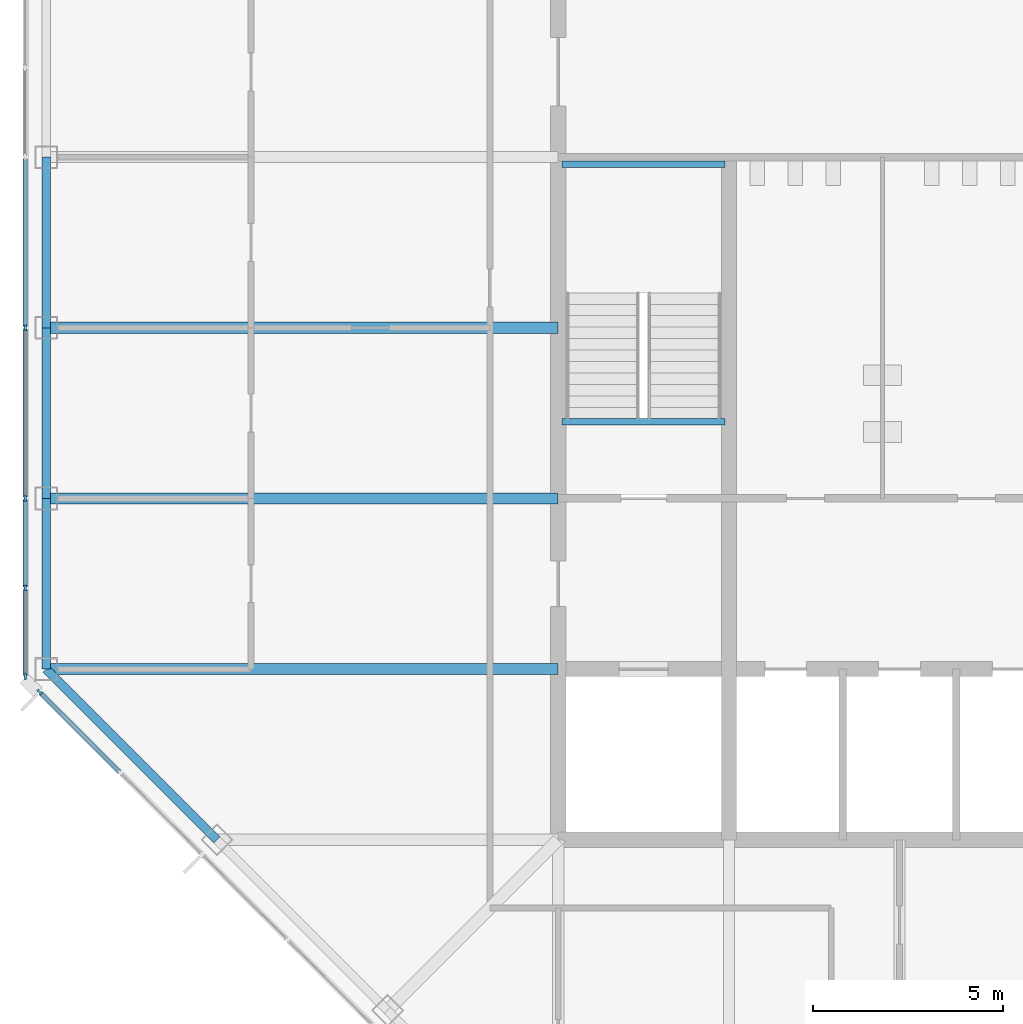
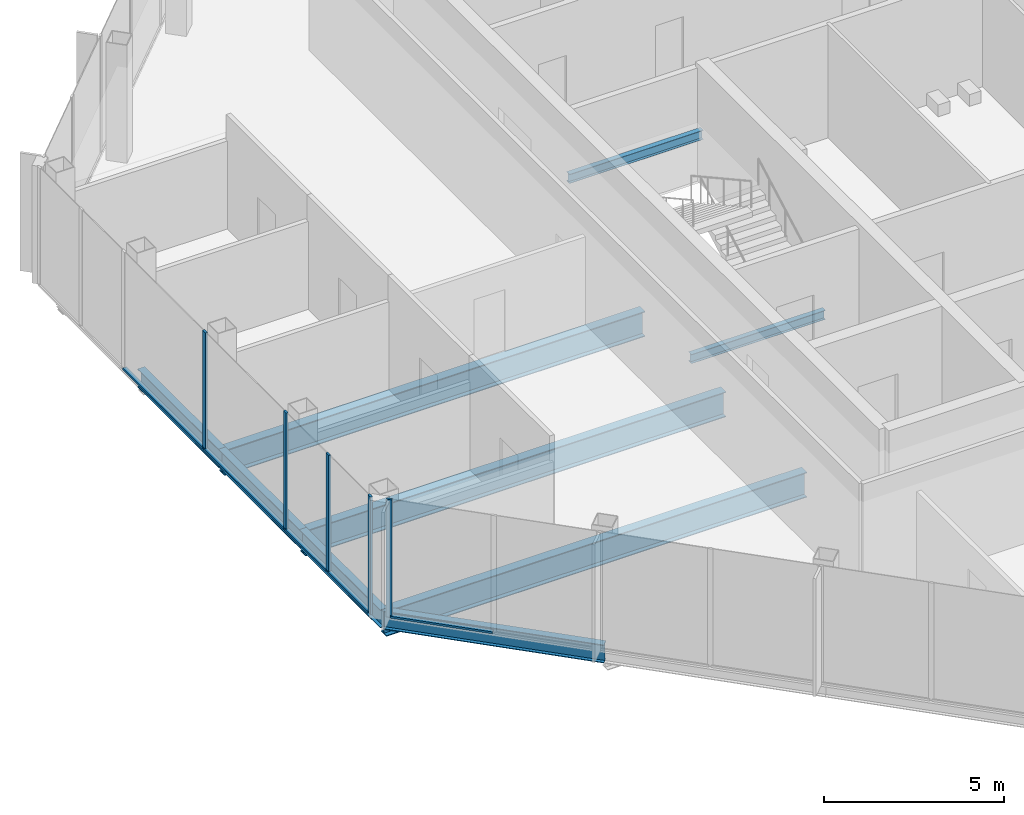
# One storey, part 3 of 14: 10 members, 9 beams, 2 elements without a shape of their own.
"""IFC4 building model written with IfcOpenShell, lengths in metres."""

import ifcopenshell
import ifcopenshell.guid

model = None  # the IFC model being written
_history = None  # IfcOwnerHistory: only IFC2X3 demands one
_inside = {}  # id of a spatial element -> (the spatial element, [elements in it])
_under = {}  # id of a project, library or spatial element -> (it, [spatial elements below it])
_declared = {}  # id of a project -> (the project, [libraries it declares])
_typed = {}  # id of a type object -> (the type object, [elements of that type])
_made_of = {}  # id of a material, layer set ... -> (it, [elements and type objects made of it])


def new_model(schema):
    """Start an empty IFC model of exactly this schema.

    Asked for "IFC4X3", IfcOpenShell would pick the latest addendum, in which some entities
    have other attributes; the version numbers below select the first issue.
    IFC2X3 requires an IfcOwnerHistory on every rooted entity: one is made here for all.
    """
    global model, _history
    if schema == "IFC4X3":
        model = ifcopenshell.file(schema_version=(4, 3, 0, 0))
    else:
        model = ifcopenshell.file(schema=schema)
    _inside.clear()
    _under.clear()
    _declared.clear()
    _typed.clear()
    _made_of.clear()
    _history = None
    if model.schema == "IFC2X3":
        org = make("IfcOrganization", Name="unknown")
        user = make(
            "IfcPersonAndOrganization",
            ThePerson=make("IfcPerson", FamilyName="unknown"),
            TheOrganization=org,
        )
        app = make(
            "IfcApplication",
            ApplicationDeveloper=org,
            Version="unknown",
            ApplicationFullName="unknown",
            ApplicationIdentifier="unknown",
        )
        _history = make(
            "IfcOwnerHistory",
            OwningUser=user,
            OwningApplication=app,
            ChangeAction="ADDED",
            CreationDate=0,
        )
    return model


def make(cls, **values):
    """One entity of the class cls with the attributes given. An attribute that is None is left unset."""
    return model.create_entity(
        cls, **{name: value for name, value in values.items() if value is not None}
    )


def rooted(cls, **values):
    """An entity with a GlobalId (a new one), such as an element, a storey or a relation."""
    return make(cls, GlobalId=ifcopenshell.guid.new(), OwnerHistory=_history, **values)


def si_unit(unit_type, name, prefix=None):
    """IfcSIUnit, for example si_unit("LENGTHUNIT", "METRE", prefix="MILLI")."""
    return make("IfcSIUnit", UnitType=unit_type, Prefix=prefix, Name=name)


def assignment(units):
    """IfcUnitAssignment: the units of a project."""
    return None if units is None else make("IfcUnitAssignment", Units=units)


def point(xyz):
    """IfcCartesianPoint."""
    return None if xyz is None else make("IfcCartesianPoint", Coordinates=xyz)


def direction(xyz):
    """IfcDirection."""
    return None if xyz is None else make("IfcDirection", DirectionRatios=xyz)


def frame(location, z_axis=None, x_axis=None):
    """IfcAxis2Placement3D, a coordinate frame: its origin and axes. An axis left out is left unset."""
    return make(
        "IfcAxis2Placement3D",
        Location=point(location),
        Axis=direction(z_axis),
        RefDirection=direction(x_axis),
    )


def frame_2d(location, x_axis=None):
    """IfcAxis2Placement2D, a coordinate frame in the plane: its origin and x axis."""
    return make(
        "IfcAxis2Placement2D", Location=point(location), RefDirection=direction(x_axis)
    )


def origin():
    """The frame at (0, 0, 0) with its axes left unset."""
    return frame((0.0, 0.0, 0.0))


def origin_2d():
    """The frame at (0, 0) in the plane with its x axis left unset."""
    return frame_2d((0.0, 0.0))


def place(relative_to, where):
    """IfcLocalPlacement: puts the frame where relative to a parent placement (None: the world)."""
    return make(
        "IfcLocalPlacement", PlacementRelTo=relative_to, RelativePlacement=where
    )


def context(
    kind, dimensions, precision=None, world=None, true_north=None, identifier=None
):
    """IfcGeometricRepresentationContext, for example the 3D "Model" context."""
    return make(
        "IfcGeometricRepresentationContext",
        ContextIdentifier=identifier,
        ContextType=kind,
        CoordinateSpaceDimension=dimensions,
        Precision=precision,
        WorldCoordinateSystem=world,
        TrueNorth=true_north,
    )


def subcontext(parent, identifier, kind, view, scale=None):
    """IfcGeometricRepresentationSubContext, for example "Body" below "Model"."""
    return make(
        "IfcGeometricRepresentationSubContext",
        ContextIdentifier=identifier,
        ContextType=kind,
        ParentContext=parent,
        TargetScale=scale,
        TargetView=view,
    )


def project(units=None, contexts=None):
    """IfcProject with its units and contexts."""
    return rooted(
        "IfcProject",
        Name="project",
        RepresentationContexts=contexts,
        UnitsInContext=assignment(units),
    )


def spatial(cls, under=None, at=None, **own):
    """A site, building, storey or space (cls), placed at a placement, below another one or the project."""
    s = rooted(cls, ObjectPlacement=at, **own)
    if under is not None:
        _under.setdefault(under.id(), (under, []))[1].append(s)
    return s


def profile(cls, at=None, kind="AREA", **sizes):
    """A parametric profile (cls). Its sizes go by their IFC names, for example OverallWidth=200.0."""
    return make(cls, ProfileType=kind, Position=at, **sizes)


def rectangle(**sizes):
    """IfcRectangleProfileDef."""
    return profile("IfcRectangleProfileDef", **sizes)


def i_section(**sizes):
    """IfcIShapeProfileDef."""
    return profile("IfcIShapeProfileDef", **sizes)


def extrude(swept, where, along, depth):
    """IfcExtrudedAreaSolid: the profile swept, set in the frame where, extruded along a direction by depth."""
    return make(
        "IfcExtrudedAreaSolid",
        SweptArea=swept,
        Position=where,
        ExtrudedDirection=direction(along),
        Depth=depth,
    )


def shape(context_of_items, identifier, shape_type, items):
    """IfcShapeRepresentation: the items that make up one representation, for example the "Body"."""
    return make(
        "IfcShapeRepresentation",
        ContextOfItems=context_of_items,
        RepresentationIdentifier=identifier,
        RepresentationType=shape_type,
        Items=items,
    )


def material(Name=None, Category=None):
    """IfcMaterial."""
    return make("IfcMaterial", Name=Name, Category=Category)


def material_profile(
    of_material, cross_section, Name=None, Category=None, Priority=None
):
    """IfcMaterialProfile: a cross section and its material."""
    return make(
        "IfcMaterialProfile",
        Name=Name,
        Material=of_material,
        Profile=cross_section,
        Priority=Priority,
        Category=Category,
    )


def profile_set(profiles, Name=None, composite=None):
    """IfcMaterialProfileSet."""
    return make(
        "IfcMaterialProfileSet",
        Name=Name,
        MaterialProfiles=profiles,
        CompositeProfile=composite,
    )


def made_of(thing, what):
    """Note that an element or type object is made of a material, layer set ...; save() writes the relation."""
    if what is not None:
        _made_of.setdefault(what.id(), (what, []))[1].append(thing)
    return thing


def type_object(cls, material=None, **own):
    """A type object (cls), such as IfcWallType, which elements share."""
    return made_of(rooted(cls, **own), material)


def element(
    cls,
    number,
    at=None,
    inside=None,
    cuts=None,
    type_object=None,
    material=None,
    context=None,
    identifier="Body",
    shape_type=None,
    held_by="IfcProductDefinitionShape",
    body=None,
    shapes=None,
    **own,
):
    """One element of the class cls, such as IfcWall. Its Tag is "e" and its number.

    at: its placement. inside: the storey or other place that contains it. cuts: it is an
    opening in that element (IfcRelVoidsElement). A single representation is given by context,
    identifier, shape_type and body (its items); several are given by shapes. held_by: the class
    of the entity that holds the representations. save() writes the other relations.
    """
    e = rooted(cls, Tag="e%d" % number, ObjectPlacement=at, **own)
    if body is not None:
        shapes = [shape(context, identifier, shape_type, body)]
    if shapes is not None:
        e.Representation = make(held_by, Representations=shapes)
    if inside is not None:
        _inside.setdefault(inside.id(), (inside, []))[1].append(e)
    if cuts is not None:
        rooted(
            "IfcRelVoidsElement", RelatingBuildingElement=cuts, RelatedOpeningElement=e
        )
    if type_object is not None:
        _typed.setdefault(type_object.id(), (type_object, []))[1].append(e)
    return made_of(e, material)


def aggregate(whole, parts):
    """IfcRelAggregates: a whole, such as a stair, and the parts it consists of."""
    return rooted("IfcRelAggregates", RelatingObject=whole, RelatedObjects=parts)


def save(model, path):
    """Write the relations noted so far, then the file.

    IfcRelAggregates (storeys below a building ...), IfcRelContainedInSpatialStructure (elements
    in a storey), IfcRelDefinesByType, IfcRelAssociatesMaterial and IfcRelDeclares: one each for
    every whole, place, type object, material and project.
    """
    for whole, parts in _under.values():
        aggregate(whole, parts)
    for where, things in _inside.values():
        rooted(
            "IfcRelContainedInSpatialStructure",
            RelatedElements=things,
            RelatingStructure=where,
        )
    for kind, things in _typed.values():
        rooted("IfcRelDefinesByType", RelatedObjects=things, RelatingType=kind)
    for what, things in _made_of.values():
        rooted("IfcRelAssociatesMaterial", RelatedObjects=things, RelatingMaterial=what)
    for by, libraries in _declared.values():
        rooted("IfcRelDeclares", RelatingContext=by, RelatedDefinitions=libraries)
    model.write(path)


model = new_model("IFC4")

# Units and contexts
model_context = context("Model", 3, precision=1e-05, world=origin(), true_north=direction((0.0, 1.0)))
body_context = subcontext(model_context, "Body", "Model", "MODEL_VIEW")
ifc_project = project(units=[si_unit("LENGTHUNIT", "METRE"), si_unit("AREAUNIT", "SQUARE_METRE"), si_unit("VOLUMEUNIT", "CUBIC_METRE"), si_unit("PLANEANGLEUNIT", "RADIAN"), si_unit("MASSUNIT", "GRAM", prefix="KILO")], contexts=[model_context])

# Site, building, storey
site_placement = place(None, origin())
site = spatial("IfcSite", under=ifc_project, at=site_placement, CompositionType="ELEMENT")
building_placement = place(site_placement, origin())
building = spatial("IfcBuilding", under=site, at=building_placement, Name="Corais Broadcast Tower", CompositionType="ELEMENT")
storey_placement = place(building_placement, frame((0.0, 0.0, 262.60009765625)))
storey = spatial("IfcBuildingStorey", under=building, at=storey_placement, Name="L61", CompositionType="ELEMENT", Elevation=262.60009765625)

# Beams
ifc_material_1 = material(Name="Steel ASTM A572 Grade 50", Category="steel")
ifc_material_profile_1 = material_profile(ifc_material_1, i_section(OverallWidth=0.2939453125, OverallDepth=0.85107421875, WebThickness=0.01611328125, FlangeThickness=0.02685546875, at=origin_2d()), Name="W840x226")
ifc_profile_set_1 = profile_set([ifc_material_profile_1], Name="Steel ASTM A572 Grade 50")
beam_type_1 = type_object("IfcBeamType", Name="Floor beam W840x226", PredefinedType="BEAM", material=ifc_profile_set_1)
for number, where, z_axis, x_axis, name in (
    (1, (0.0, 18.0, -0.585693359375), (1.0, 0.0, 0.0), (0.0, 1.0, 0.0), "B1 E/3 to E/6"),
    (2, (0.0, 22.5, -0.585693359375), (1.0, 0.0, 0.0), (0.0, 1.0, 0.0), "B1 F/3 to F/6"),
    (3, (0.0, 27.0, -0.585693359375), (1.0, 0.0, 0.0), (0.0, 1.0, 0.0), "B1 G/3 to G/6"),
):
    element("IfcBeam", number, at=place(storey_placement, frame(where, z_axis=z_axis, x_axis=x_axis)), inside=storey, type_object=beam_type_1, Name=name, PredefinedType="BEAM", context=body_context, shape_type="SweptSolid", body=[
        extrude(i_section(OverallWidth=0.2939453125, OverallDepth=0.85107421875, WebThickness=0.01611328125, FlangeThickness=0.02685546875, at=origin_2d()), origin(), (0.0, 0.0, 1.0), 13.5),
    ])
ifc_material_2 = material(Name="Steel ASTM A572 Grade 50", Category="steel")
ifc_material_profile_2 = material_profile(ifc_material_2, i_section(OverallWidth=0.1650390625, OverallDepth=0.31005859375, WebThickness=0.005859375, FlangeThickness=0.009765625, at=origin_2d()), Name="W310x38.7")
ifc_profile_set_2 = profile_set([ifc_material_profile_2], Name="Steel ASTM A572 Grade 50")
beam_type_2 = type_object("IfcBeamType", Name="Landing trimmer W310x38.7", PredefinedType="BEAM", material=ifc_profile_set_2)
for number, where, z_axis, x_axis, name in (
    (4, (13.60009765625, 24.52490234375, -0.35498046875), (1.0, 0.0, 0.0), (0.0, 1.0, 0.0), "LT1 stair A landing trimmer L61"),
    (5, (13.60009765625, 31.31005859375, 1.64501953125), (1.0, 0.0, 0.0), (0.0, 1.0, 0.0), "LT1 stair A half landing trimmer L61"),
):
    element("IfcBeam", number, at=place(storey_placement, frame(where, z_axis=z_axis, x_axis=x_axis)), inside=storey, type_object=beam_type_2, Name=name, PredefinedType="BEAM", context=body_context, shape_type="SweptSolid", body=[
        extrude(i_section(OverallWidth=0.1650390625, OverallDepth=0.31005859375, WebThickness=0.005859375, FlangeThickness=0.009765625, at=origin_2d()), origin(), (0.0, 0.0, 1.0), 4.2998046875),
    ])

# Curtain wall, member
ifc_material_3 = material(Name="Aluminium and glass", Category="aluminium")
curtain_wall_type = type_object("IfcCurtainWallType", Name="Unitised fritted curtain wall CW3", PredefinedType="NOTDEFINED", material=ifc_material_3)
curtain_wall_1_placement = place(storey_placement, origin())
curtain_wall_1 = element("IfcCurtainWall", 6, at=curtain_wall_1_placement, inside=storey, type_object=curtain_wall_type, Name="CW3 curtain wall L61 1", PredefinedType="NOTDEFINED")
ifc_material_4 = material(Name="Aluminium 6063-T6", Category="aluminium")
ifc_material_profile_3 = material_profile(ifc_material_4, rectangle(XDim=0.06494140625, YDim=0.159912109375, at=origin_2d()), Name="Mullion CW3 65x160")
ifc_profile_set_3 = profile_set([ifc_material_profile_3], Name="Aluminium 6063-T6")
member_type_1 = type_object("IfcMemberType", Name="Mullion CW3 65x160", PredefinedType="MULLION", material=ifc_profile_set_3)
member_1_placement = place(storey_placement, frame((-0.17333984375, 17.3955078125, 0.0), z_axis=(0.0, 0.0, 1.0), x_axis=(-0.707106781187, -0.707106781187, 0.0)))
member_1 = element("IfcMember", 7, at=member_1_placement, type_object=member_type_1, Name="CW3 mullion 9", PredefinedType="MULLION", context=body_context, shape_type="SweptSolid", body=[
    extrude(rectangle(XDim=0.06494140625, YDim=0.159912109375, at=origin_2d()), origin(), (0.0, 0.0, 1.0), 4.0),
])

# Curtain wall, members
curtain_wall_2_placement = place(storey_placement, origin())
curtain_wall_2 = element("IfcCurtainWall", 8, at=curtain_wall_2_placement, inside=storey, type_object=curtain_wall_type, Name="CW3 curtain wall L61 2", PredefinedType="NOTDEFINED")
member_2_placement = place(storey_placement, frame((-0.550048828125, 17.8046875, 0.0), z_axis=(0.0, 0.0, 1.0), x_axis=(-1.0, 0.0, 0.0)))
member_2 = element("IfcMember", 9, at=member_2_placement, type_object=member_type_1, Name="CW3 mullion 1", PredefinedType="MULLION", context=body_context, shape_type="SweptSolid", body=[
    extrude(rectangle(XDim=0.06494140625, YDim=0.159912109375, at=origin_2d()), origin(), (0.0, 0.0, 1.0), 4.0),
])
member_3_placement = place(storey_placement, frame((-0.550048828125, 20.135986328125, 0.0), z_axis=(0.0, 0.0, 1.0), x_axis=(-1.0, 0.0, 0.0)))
member_3 = element("IfcMember", 10, at=member_3_placement, type_object=member_type_1, Name="CW3 mullion 2", PredefinedType="MULLION", context=body_context, shape_type="SweptSolid", body=[
    extrude(rectangle(XDim=0.06494140625, YDim=0.159912109375, at=origin_2d()), origin(), (0.0, 0.0, 1.0), 4.0),
])
member_4_placement = place(storey_placement, frame((-0.550048828125, 22.5, 0.0), z_axis=(0.0, 0.0, 1.0), x_axis=(-1.0, 0.0, 0.0)))
member_4 = element("IfcMember", 11, at=member_4_placement, type_object=member_type_1, Name="CW3 mullion 3", PredefinedType="MULLION", context=body_context, shape_type="SweptSolid", body=[
    extrude(rectangle(XDim=0.06494140625, YDim=0.159912109375, at=origin_2d()), origin(), (0.0, 0.0, 1.0), 4.0),
])
member_5_placement = place(storey_placement, frame((-0.550048828125, 27.0, 0.0), z_axis=(0.0, 0.0, 1.0), x_axis=(-1.0, 0.0, 0.0)))
member_5 = element("IfcMember", 12, at=member_5_placement, type_object=member_type_1, Name="CW3 mullion 4", PredefinedType="MULLION", context=body_context, shape_type="SweptSolid", body=[
    extrude(rectangle(XDim=0.06494140625, YDim=0.159912109375, at=origin_2d()), origin(), (0.0, 0.0, 1.0), 4.0),
])

# Beams
ifc_material_5 = material(Name="Steel ASTM A572 Grade 50", Category="steel")
ifc_material_profile_4 = material_profile(ifc_material_5, i_section(OverallWidth=0.22998046875, OverallDepth=0.616943359375, WebThickness=0.01318359375, FlangeThickness=0.022216796875, at=origin_2d()), Name="W610x140")
ifc_profile_set_4 = profile_set([ifc_material_profile_4], Name="Steel ASTM A572 Grade 50")
beam_type_3 = type_object("IfcBeamType", Name="Spandrel W610x140", PredefinedType="BEAM", material=ifc_profile_set_4)
beam_placement = place(storey_placement, frame((0.0, 18.0, -0.468505859375), z_axis=(0.707106781187, -0.707106781187, 0.0), x_axis=(0.707106781187, 0.707106781187, 0.0)))
element("IfcBeam", 13, at=beam_placement, inside=storey, type_object=beam_type_3, Name="SB3 E/3 to D/4", PredefinedType="BEAM", context=body_context, shape_type="SweptSolid", body=[
    extrude(i_section(OverallWidth=0.22998046875, OverallDepth=0.616943359375, WebThickness=0.01318359375, FlangeThickness=0.022216796875, at=origin_2d()), origin(), (0.0, 0.0, 1.0), 6.364013671875),
])
for number, where, z_axis, x_axis, name in (
    (14, (0.0, 22.5, -0.468505859375), (0.0, -1.0, 0.0), (1.0, 0.0, 0.0), "SB3 F/3 to E/3"),
    (15, (0.0, 27.0, -0.468505859375), (0.0, -1.0, 0.0), (1.0, 0.0, 0.0), "SB3 G/3 to F/3"),
    (16, (0.0, 31.5, -0.468505859375), (0.0, -1.0, 0.0), (1.0, 0.0, 0.0), "SB3 H/3 to G/3"),
):
    element("IfcBeam", number, at=place(storey_placement, frame(where, z_axis=z_axis, x_axis=x_axis)), inside=storey, type_object=beam_type_3, Name=name, PredefinedType="BEAM", context=body_context, shape_type="SweptSolid", body=[
        extrude(i_section(OverallWidth=0.22998046875, OverallDepth=0.616943359375, WebThickness=0.01318359375, FlangeThickness=0.022216796875, at=origin_2d()), origin(), (0.0, 0.0, 1.0), 4.5),
    ])

# Member
ifc_material_6 = material(Name="Aluminium 6063-T6", Category="aluminium")
ifc_material_profile_5 = material_profile(ifc_material_6, rectangle(XDim=0.1201171875, YDim=0.06494140625, at=origin_2d()), Name="Transom CW3 65x120")
ifc_profile_set_5 = profile_set([ifc_material_profile_5], Name="Aluminium 6063-T6")
member_type_2 = type_object("IfcMemberType", Name="Transom CW3 65x120", PredefinedType="USERDEFINED", material=ifc_profile_set_5)
member_6_placement = place(storey_placement, frame((1.934326171875, 15.287841796875, 0.032470703125), z_axis=(-0.707106781187, 0.707106781187, 0.0), x_axis=(-0.707106781187, -0.707106781187, 0.0)))
member_6 = element("IfcMember", 17, at=member_6_placement, type_object=member_type_2, Name="CW3 transom 8.1", ObjectType="TRANSOM", PredefinedType="USERDEFINED", context=body_context, shape_type="SweptSolid", body=[
    extrude(rectangle(XDim=0.1201171875, YDim=0.06494140625, at=origin_2d()), origin(), (0.0, 0.0, 1.0), 2.9482421875),
])

aggregate(curtain_wall_1, [member_1, member_6])

member_7_placement = place(storey_placement, frame((-0.550048828125, 17.837158203125, 0.032470703125), z_axis=(0.0, 1.0, 0.0), x_axis=(-1.0, 0.0, 0.0)))
member_7 = element("IfcMember", 18, at=member_7_placement, type_object=member_type_2, Name="CW3 transom 1.1", ObjectType="TRANSOM", PredefinedType="USERDEFINED", context=body_context, shape_type="SweptSolid", body=[
    extrude(rectangle(XDim=0.1201171875, YDim=0.06494140625, at=origin_2d()), origin(), (0.0, 0.0, 1.0), 2.266357421875),
])

member_8_placement = place(storey_placement, frame((-0.550048828125, 20.168701171875, 0.032470703125), z_axis=(0.0, 1.0, 0.0), x_axis=(-1.0, 0.0, 0.0)))
member_8 = element("IfcMember", 19, at=member_8_placement, type_object=member_type_2, Name="CW3 transom 2.1", ObjectType="TRANSOM", PredefinedType="USERDEFINED", context=body_context, shape_type="SweptSolid", body=[
    extrude(rectangle(XDim=0.1201171875, YDim=0.06494140625, at=origin_2d()), origin(), (0.0, 0.0, 1.0), 2.298828125),
])

member_9_placement = place(storey_placement, frame((-0.550048828125, 22.532470703125, 0.032470703125), z_axis=(0.0, 1.0, 0.0), x_axis=(-1.0, 0.0, 0.0)))
member_9 = element("IfcMember", 20, at=member_9_placement, type_object=member_type_2, Name="CW3 transom 3.1", ObjectType="TRANSOM", PredefinedType="USERDEFINED", context=body_context, shape_type="SweptSolid", body=[
    extrude(rectangle(XDim=0.1201171875, YDim=0.06494140625, at=origin_2d()), origin(), (0.0, 0.0, 1.0), 4.43505859375),
])

member_10_placement = place(storey_placement, frame((-0.550048828125, 27.032470703125, 0.032470703125), z_axis=(0.0, 1.0, 0.0), x_axis=(-1.0, 0.0, 0.0)))
member_10 = element("IfcMember", 21, at=member_10_placement, type_object=member_type_2, Name="CW3 transom 4.1", ObjectType="TRANSOM", PredefinedType="USERDEFINED", context=body_context, shape_type="SweptSolid", body=[
    extrude(rectangle(XDim=0.1201171875, YDim=0.06494140625, at=origin_2d()), origin(), (0.0, 0.0, 1.0), 4.43505859375),
])

aggregate(curtain_wall_2, [member_2, member_3, member_4, member_5, member_7, member_8, member_9, member_10])

save(model, "model.ifc")
